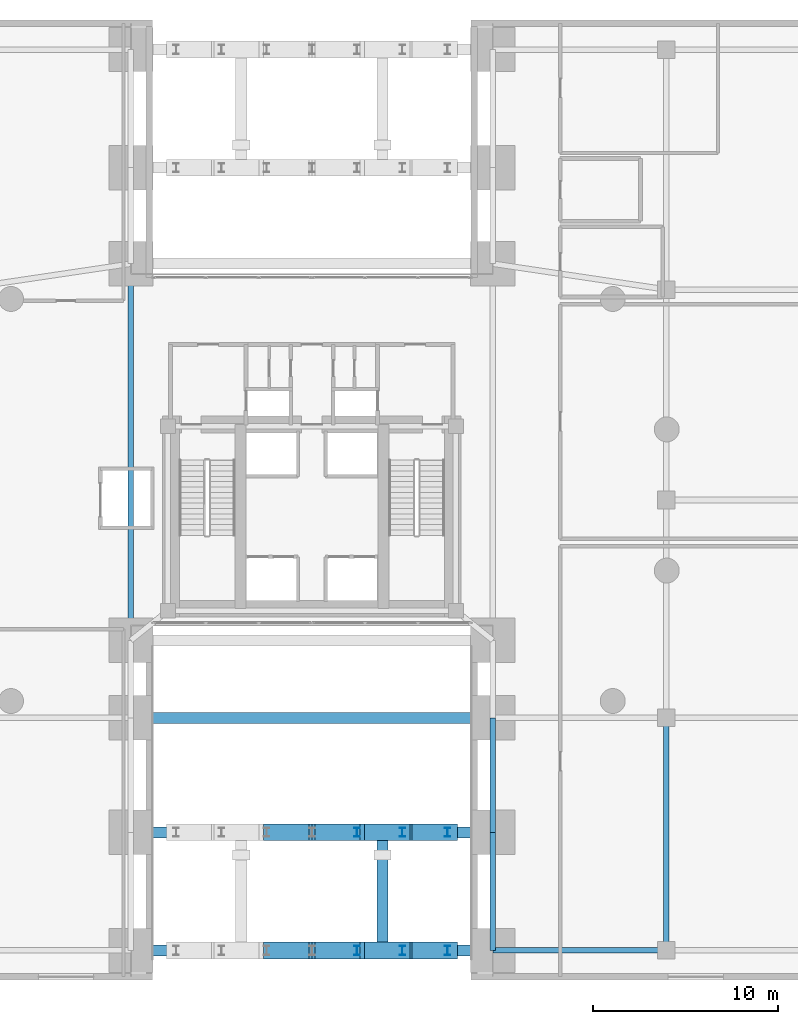
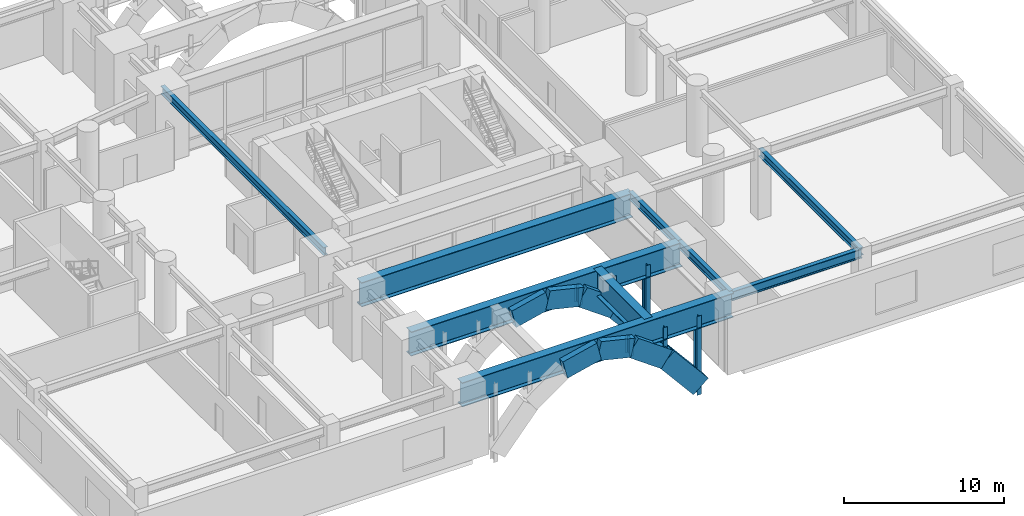
# One storey, part 4 of 18: 17 beams, 6 members.
"""IFC4 building model written with IfcOpenShell, lengths in metres."""

import ifcopenshell
import ifcopenshell.guid

model = None  # the IFC model being written
_history = None  # IfcOwnerHistory: only IFC2X3 demands one
_inside = {}  # id of a spatial element -> (the spatial element, [elements in it])
_under = {}  # id of a project, library or spatial element -> (it, [spatial elements below it])
_declared = {}  # id of a project -> (the project, [libraries it declares])
_typed = {}  # id of a type object -> (the type object, [elements of that type])
_made_of = {}  # id of a material, layer set ... -> (it, [elements and type objects made of it])


def new_model(schema):
    """Start an empty IFC model of exactly this schema.

    Asked for "IFC4X3", IfcOpenShell would pick the latest addendum, in which some entities
    have other attributes; the version numbers below select the first issue.
    IFC2X3 requires an IfcOwnerHistory on every rooted entity: one is made here for all.
    """
    global model, _history
    if schema == "IFC4X3":
        model = ifcopenshell.file(schema_version=(4, 3, 0, 0))
    else:
        model = ifcopenshell.file(schema=schema)
    _inside.clear()
    _under.clear()
    _declared.clear()
    _typed.clear()
    _made_of.clear()
    _history = None
    if model.schema == "IFC2X3":
        org = make("IfcOrganization", Name="unknown")
        user = make(
            "IfcPersonAndOrganization",
            ThePerson=make("IfcPerson", FamilyName="unknown"),
            TheOrganization=org,
        )
        app = make(
            "IfcApplication",
            ApplicationDeveloper=org,
            Version="unknown",
            ApplicationFullName="unknown",
            ApplicationIdentifier="unknown",
        )
        _history = make(
            "IfcOwnerHistory",
            OwningUser=user,
            OwningApplication=app,
            ChangeAction="ADDED",
            CreationDate=0,
        )
    return model


def make(cls, **values):
    """One entity of the class cls with the attributes given. An attribute that is None is left unset."""
    return model.create_entity(
        cls, **{name: value for name, value in values.items() if value is not None}
    )


def rooted(cls, **values):
    """An entity with a GlobalId (a new one), such as an element, a storey or a relation."""
    return make(cls, GlobalId=ifcopenshell.guid.new(), OwnerHistory=_history, **values)


def si_unit(unit_type, name, prefix=None):
    """IfcSIUnit, for example si_unit("LENGTHUNIT", "METRE", prefix="MILLI")."""
    return make("IfcSIUnit", UnitType=unit_type, Prefix=prefix, Name=name)


def assignment(units):
    """IfcUnitAssignment: the units of a project."""
    return None if units is None else make("IfcUnitAssignment", Units=units)


def point(xyz):
    """IfcCartesianPoint."""
    return None if xyz is None else make("IfcCartesianPoint", Coordinates=xyz)


def direction(xyz):
    """IfcDirection."""
    return None if xyz is None else make("IfcDirection", DirectionRatios=xyz)


def frame(location, z_axis=None, x_axis=None):
    """IfcAxis2Placement3D, a coordinate frame: its origin and axes. An axis left out is left unset."""
    return make(
        "IfcAxis2Placement3D",
        Location=point(location),
        Axis=direction(z_axis),
        RefDirection=direction(x_axis),
    )


def frame_2d(location, x_axis=None):
    """IfcAxis2Placement2D, a coordinate frame in the plane: its origin and x axis."""
    return make(
        "IfcAxis2Placement2D", Location=point(location), RefDirection=direction(x_axis)
    )


def origin():
    """The frame at (0, 0, 0) with its axes left unset."""
    return frame((0.0, 0.0, 0.0))


def origin_2d():
    """The frame at (0, 0) in the plane with its x axis left unset."""
    return frame_2d((0.0, 0.0))


def place(relative_to, where):
    """IfcLocalPlacement: puts the frame where relative to a parent placement (None: the world)."""
    return make(
        "IfcLocalPlacement", PlacementRelTo=relative_to, RelativePlacement=where
    )


def context(
    kind, dimensions, precision=None, world=None, true_north=None, identifier=None
):
    """IfcGeometricRepresentationContext, for example the 3D "Model" context."""
    return make(
        "IfcGeometricRepresentationContext",
        ContextIdentifier=identifier,
        ContextType=kind,
        CoordinateSpaceDimension=dimensions,
        Precision=precision,
        WorldCoordinateSystem=world,
        TrueNorth=true_north,
    )


def subcontext(parent, identifier, kind, view, scale=None):
    """IfcGeometricRepresentationSubContext, for example "Body" below "Model"."""
    return make(
        "IfcGeometricRepresentationSubContext",
        ContextIdentifier=identifier,
        ContextType=kind,
        ParentContext=parent,
        TargetScale=scale,
        TargetView=view,
    )


def project(units=None, contexts=None):
    """IfcProject with its units and contexts."""
    return rooted(
        "IfcProject",
        Name="project",
        RepresentationContexts=contexts,
        UnitsInContext=assignment(units),
    )


def spatial(cls, under=None, at=None, **own):
    """A site, building, storey or space (cls), placed at a placement, below another one or the project."""
    s = rooted(cls, ObjectPlacement=at, **own)
    if under is not None:
        _under.setdefault(under.id(), (under, []))[1].append(s)
    return s


def profile(cls, at=None, kind="AREA", **sizes):
    """A parametric profile (cls). Its sizes go by their IFC names, for example OverallWidth=200.0."""
    return make(cls, ProfileType=kind, Position=at, **sizes)


def rectangle(**sizes):
    """IfcRectangleProfileDef."""
    return profile("IfcRectangleProfileDef", **sizes)


def i_section(**sizes):
    """IfcIShapeProfileDef."""
    return profile("IfcIShapeProfileDef", **sizes)


def extrude(swept, where, along, depth):
    """IfcExtrudedAreaSolid: the profile swept, set in the frame where, extruded along a direction by depth."""
    return make(
        "IfcExtrudedAreaSolid",
        SweptArea=swept,
        Position=where,
        ExtrudedDirection=direction(along),
        Depth=depth,
    )


def shape(context_of_items, identifier, shape_type, items):
    """IfcShapeRepresentation: the items that make up one representation, for example the "Body"."""
    return make(
        "IfcShapeRepresentation",
        ContextOfItems=context_of_items,
        RepresentationIdentifier=identifier,
        RepresentationType=shape_type,
        Items=items,
    )


def material(Name=None, Category=None):
    """IfcMaterial."""
    return make("IfcMaterial", Name=Name, Category=Category)


def material_profile(
    of_material, cross_section, Name=None, Category=None, Priority=None
):
    """IfcMaterialProfile: a cross section and its material."""
    return make(
        "IfcMaterialProfile",
        Name=Name,
        Material=of_material,
        Profile=cross_section,
        Priority=Priority,
        Category=Category,
    )


def profile_set(profiles, Name=None, composite=None):
    """IfcMaterialProfileSet."""
    return make(
        "IfcMaterialProfileSet",
        Name=Name,
        MaterialProfiles=profiles,
        CompositeProfile=composite,
    )


def made_of(thing, what):
    """Note that an element or type object is made of a material, layer set ...; save() writes the relation."""
    if what is not None:
        _made_of.setdefault(what.id(), (what, []))[1].append(thing)
    return thing


def type_object(cls, material=None, **own):
    """A type object (cls), such as IfcWallType, which elements share."""
    return made_of(rooted(cls, **own), material)


def element(
    cls,
    number,
    at=None,
    inside=None,
    cuts=None,
    type_object=None,
    material=None,
    context=None,
    identifier="Body",
    shape_type=None,
    held_by="IfcProductDefinitionShape",
    body=None,
    shapes=None,
    **own,
):
    """One element of the class cls, such as IfcWall. Its Tag is "e" and its number.

    at: its placement. inside: the storey or other place that contains it. cuts: it is an
    opening in that element (IfcRelVoidsElement). A single representation is given by context,
    identifier, shape_type and body (its items); several are given by shapes. held_by: the class
    of the entity that holds the representations. save() writes the other relations.
    """
    e = rooted(cls, Tag="e%d" % number, ObjectPlacement=at, **own)
    if body is not None:
        shapes = [shape(context, identifier, shape_type, body)]
    if shapes is not None:
        e.Representation = make(held_by, Representations=shapes)
    if inside is not None:
        _inside.setdefault(inside.id(), (inside, []))[1].append(e)
    if cuts is not None:
        rooted(
            "IfcRelVoidsElement", RelatingBuildingElement=cuts, RelatedOpeningElement=e
        )
    if type_object is not None:
        _typed.setdefault(type_object.id(), (type_object, []))[1].append(e)
    return made_of(e, material)


def aggregate(whole, parts):
    """IfcRelAggregates: a whole, such as a stair, and the parts it consists of."""
    return rooted("IfcRelAggregates", RelatingObject=whole, RelatedObjects=parts)


def save(model, path):
    """Write the relations noted so far, then the file.

    IfcRelAggregates (storeys below a building ...), IfcRelContainedInSpatialStructure (elements
    in a storey), IfcRelDefinesByType, IfcRelAssociatesMaterial and IfcRelDeclares: one each for
    every whole, place, type object, material and project.
    """
    for whole, parts in _under.values():
        aggregate(whole, parts)
    for where, things in _inside.values():
        rooted(
            "IfcRelContainedInSpatialStructure",
            RelatedElements=things,
            RelatingStructure=where,
        )
    for kind, things in _typed.values():
        rooted("IfcRelDefinesByType", RelatedObjects=things, RelatingType=kind)
    for what, things in _made_of.values():
        rooted("IfcRelAssociatesMaterial", RelatedObjects=things, RelatingMaterial=what)
    for by, libraries in _declared.values():
        rooted("IfcRelDeclares", RelatingContext=by, RelatedDefinitions=libraries)
    model.write(path)


model = new_model("IFC4")

# Units and contexts
model_context = context("Model", 3, precision=1e-05, world=origin(), true_north=direction((0.0, 1.0)))
body_context = subcontext(model_context, "Body", "Model", "MODEL_VIEW")
ifc_project = project(units=[si_unit("LENGTHUNIT", "METRE"), si_unit("AREAUNIT", "SQUARE_METRE"), si_unit("VOLUMEUNIT", "CUBIC_METRE"), si_unit("PLANEANGLEUNIT", "RADIAN"), si_unit("MASSUNIT", "GRAM", prefix="KILO"), si_unit("THERMODYNAMICTEMPERATUREUNIT", "KELVIN"), si_unit("POWERUNIT", "WATT")], contexts=[model_context])

# Site, building, storey
site_placement = place(None, origin())
site = spatial("IfcSite", under=ifc_project, at=site_placement, CompositionType="ELEMENT")
building_placement = place(site_placement, origin())
building = spatial("IfcBuilding", under=site, at=building_placement, Name="Ocrelia Relay Tower", CompositionType="ELEMENT")
storey_placement = place(building_placement, frame((0.0, 0.0, 10.199951171875)))
storey = spatial("IfcBuildingStorey", under=building, at=storey_placement, Name="L02", CompositionType="ELEMENT", Elevation=10.199951171875)

# Beams
ifc_material_1 = material(Name="Concrete C70/85", Category="concrete")
ifc_material_profile_1 = material_profile(ifc_material_1, rectangle(XDim=0.89990234375, YDim=1.39990234375, at=origin_2d()), Name="RC-BM-900x1400")
ifc_profile_set_1 = profile_set([ifc_material_profile_1], Name="Concrete C70/85")
beam_type_1 = type_object("IfcBeamType", Name="BM-ARCH-RIB", PredefinedType="USERDEFINED", material=ifc_profile_set_1)
for number, where, z_axis, x_axis, name in (
    (1, (31.550048828125, 1.60009765625, 3.5703125), (0.972681272343, 0.0, 0.232144658422), (0.0, 1.0, 0.0), "Monumental Portal Arch Rib S1 Seg 4"),
    (2, (34.0, 1.60009765625, 4.155029296875), (0.972681272343, 0.0, -0.232144658422), (0.0, 1.0, 0.0), "Monumental Portal Arch Rib S1 Seg 5"),
):
    element("IfcBeam", number, at=place(storey_placement, frame(where, z_axis=z_axis, x_axis=x_axis)), inside=storey, type_object=beam_type_1, Name=name, ObjectType="PORTAL ARCH", PredefinedType="USERDEFINED", context=body_context, shape_type="SweptSolid", body=[
        extrude(rectangle(XDim=0.89990234375, YDim=1.39990234375, at=origin_2d()), origin(), (0.0, 0.0, 1.0), 2.518798828125),
    ])
beam_1_placement = place(storey_placement, frame((36.449951171875, 1.60009765625, 3.5703125), z_axis=(0.813075999957, 0.0, -0.582157554528), x_axis=(0.0, 1.0, 0.0)))
element("IfcBeam", 3, at=beam_1_placement, inside=storey, type_object=beam_type_1, Name="Monumental Portal Arch Rib S1 Seg 6", ObjectType="PORTAL ARCH", PredefinedType="USERDEFINED", context=body_context, shape_type="SweptSolid", body=[
    extrude(rectangle(XDim=0.89990234375, YDim=1.39990234375, at=origin_2d()), origin(), (0.0, 0.0, 1.0), 3.01318359375),
])
beam_2_placement = place(storey_placement, frame((38.89990234375, 1.60009765625, 1.816162109375), z_axis=(0.642360114755, 0.0, -0.766402950785), x_axis=(0.0, 1.0, 0.0)))
element("IfcBeam", 4, at=beam_2_placement, inside=storey, type_object=beam_type_1, Name="Monumental Portal Arch Rib S1 Seg 7", ObjectType="PORTAL ARCH", PredefinedType="USERDEFINED", context=body_context, shape_type="SweptSolid", body=[
    extrude(rectangle(XDim=0.89990234375, YDim=1.39990234375, at=origin_2d()), origin(), (0.0, 0.0, 1.0), 3.814453125),
])
for number, where, z_axis, x_axis, name in (
    (5, (31.550048828125, 8.0, 3.5703125), (0.972681272343, 0.0, 0.232144658422), (0.0, 1.0, 0.0), "Monumental Portal Arch Rib S2 Seg 4"),
    (6, (34.0, 8.0, 4.155029296875), (0.972681272343, 0.0, -0.232144658422), (0.0, 1.0, 0.0), "Monumental Portal Arch Rib S2 Seg 5"),
):
    element("IfcBeam", number, at=place(storey_placement, frame(where, z_axis=z_axis, x_axis=x_axis)), inside=storey, type_object=beam_type_1, Name=name, ObjectType="PORTAL ARCH", PredefinedType="USERDEFINED", context=body_context, shape_type="SweptSolid", body=[
        extrude(rectangle(XDim=0.89990234375, YDim=1.39990234375, at=origin_2d()), origin(), (0.0, 0.0, 1.0), 2.518798828125),
    ])
beam_3_placement = place(storey_placement, frame((36.449951171875, 8.0, 3.5703125), z_axis=(0.813075999957, 0.0, -0.582157554528), x_axis=(0.0, 1.0, 0.0)))
element("IfcBeam", 7, at=beam_3_placement, inside=storey, type_object=beam_type_1, Name="Monumental Portal Arch Rib S2 Seg 6", ObjectType="PORTAL ARCH", PredefinedType="USERDEFINED", context=body_context, shape_type="SweptSolid", body=[
    extrude(rectangle(XDim=0.89990234375, YDim=1.39990234375, at=origin_2d()), origin(), (0.0, 0.0, 1.0), 3.01318359375),
])
beam_4_placement = place(storey_placement, frame((38.89990234375, 8.0, 1.816162109375), z_axis=(0.642360114755, 0.0, -0.766402950785), x_axis=(0.0, 1.0, 0.0)))
element("IfcBeam", 8, at=beam_4_placement, inside=storey, type_object=beam_type_1, Name="Monumental Portal Arch Rib S2 Seg 7", ObjectType="PORTAL ARCH", PredefinedType="USERDEFINED", context=body_context, shape_type="SweptSolid", body=[
    extrude(rectangle(XDim=0.89990234375, YDim=1.39990234375, at=origin_2d()), origin(), (0.0, 0.0, 1.0), 3.814453125),
])
ifc_material_2 = material(Name="Steel S355", Category="steel")
ifc_material_profile_2 = material_profile(ifc_material_2, i_section(OverallWidth=0.300048828125, OverallDepth=0.60009765625, WebThickness=0.015380859375, FlangeThickness=0.030029296875, FilletRadius=0.027099609375, at=origin_2d()), Name="HEB 600")
ifc_profile_set_2 = profile_set([ifc_material_profile_2], Name="Steel S355")
beam_type_2 = type_object("IfcBeamType", Name="BM-HEB600", PredefinedType="BEAM", material=ifc_profile_set_2)
beam_5_placement = place(storey_placement, frame((53.199951171875, 1.60009765625, 4.780029296875), z_axis=(0.0, 1.0, 0.0), x_axis=(-1.0, 0.0, 0.0)))
element("IfcBeam", 9, at=beam_5_placement, inside=storey, type_object=beam_type_2, Name="L02 Podium Span Girder IE-1", PredefinedType="BEAM", context=body_context, shape_type="SweptSolid", body=[
    extrude(i_section(OverallWidth=0.300048828125, OverallDepth=0.60009765625, WebThickness=0.015380859375, FlangeThickness=0.030029296875, FilletRadius=0.027099609375, at=origin_2d()), origin(), (0.0, 0.0, 1.0), 12.599853515625),
])
beam_6_placement = place(storey_placement, frame((24.199951171875, 18.39990234375, 4.780029296875), z_axis=(0.0, 1.0, 0.0), x_axis=(-1.0, 0.0, 0.0)))
element("IfcBeam", 10, at=beam_6_placement, inside=storey, type_object=beam_type_2, Name="L02 Pier Line Tie Girder AW-6", PredefinedType="BEAM", context=body_context, shape_type="SweptSolid", body=[
    extrude(i_section(OverallWidth=0.300048828125, OverallDepth=0.60009765625, WebThickness=0.015380859375, FlangeThickness=0.030029296875, FilletRadius=0.027099609375, at=origin_2d()), origin(), (0.0, 0.0, 1.0), 20.400146484375),
])
beam_7_placement = place(storey_placement, frame((43.800048828125, 1.60009765625, 4.780029296875), z_axis=(0.0, 1.0, 0.0), x_axis=(-1.0, 0.0, 0.0)))
element("IfcBeam", 11, at=beam_7_placement, inside=storey, type_object=beam_type_2, Name="L02 Pier Line Tie Girder AE-1", PredefinedType="BEAM", context=body_context, shape_type="SweptSolid", body=[
    extrude(i_section(OverallWidth=0.300048828125, OverallDepth=0.60009765625, WebThickness=0.015380859375, FlangeThickness=0.030029296875, FilletRadius=0.027099609375, at=origin_2d()), origin(), (0.0, 0.0, 1.0), 6.39990234375),
])
beam_8_placement = place(storey_placement, frame((43.800048828125, 8.0, 4.780029296875), z_axis=(0.0, 1.0, 0.0), x_axis=(-1.0, 0.0, 0.0)))
element("IfcBeam", 12, at=beam_8_placement, inside=storey, type_object=beam_type_2, Name="L02 Pier Line Tie Girder AE-2", PredefinedType="BEAM", context=body_context, shape_type="SweptSolid", body=[
    extrude(i_section(OverallWidth=0.300048828125, OverallDepth=0.60009765625, WebThickness=0.015380859375, FlangeThickness=0.030029296875, FilletRadius=0.027099609375, at=origin_2d()), origin(), (0.0, 0.0, 1.0), 6.199951171875),
])
ifc_material_profile_3 = material_profile(ifc_material_2, i_section(OverallWidth=0.300048828125, OverallDepth=0.699951171875, WebThickness=0.01708984375, FlangeThickness=0.031982421875, FilletRadius=0.027099609375, at=origin_2d()), Name="HEB 700")
ifc_profile_set_3 = profile_set([ifc_material_profile_3], Name="Steel S355")
beam_type_3 = type_object("IfcBeamType", Name="BM-HEB700", PredefinedType="BEAM", material=ifc_profile_set_3)
beam_9_placement = place(storey_placement, frame((43.800048828125, 1.60009765625, 4.72998046875), z_axis=(1.0, 0.0, 0.0), x_axis=(0.0, 1.0, 0.0)))
element("IfcBeam", 13, at=beam_9_placement, inside=storey, type_object=beam_type_3, Name="L02 East Inner Podium Girder S", PredefinedType="BEAM", context=body_context, shape_type="SweptSolid", body=[
    extrude(i_section(OverallWidth=0.300048828125, OverallDepth=0.699951171875, WebThickness=0.01708984375, FlangeThickness=0.031982421875, FilletRadius=0.027099609375, at=origin_2d()), origin(), (0.0, 0.0, 1.0), 9.39990234375),
])
ifc_material_profile_4 = material_profile(ifc_material_2, i_section(OverallWidth=0.60009765625, OverallDepth=1.85009765625, WebThickness=0.028076171875, FlangeThickness=0.0400390625, FilletRadius=0.02001953125, at=origin_2d()), Name="WPG 1850x600")
ifc_profile_set_4 = profile_set([ifc_material_profile_4], Name="Steel S355")
beam_type_4 = type_object("IfcBeamType", Name="BM-WPG1650", PredefinedType="T_BEAM", material=ifc_profile_set_4)
for number, where, z_axis, x_axis, name in (
    (14, (24.199951171875, 1.60009765625, 4.155029296875), (1.0, 0.0, 0.0), (0.0, 1.0, 0.0), "L02 Portal Arch Span Transfer Girder G1"),
    (15, (24.199951171875, 8.0, 4.155029296875), (1.0, 0.0, 0.0), (0.0, 1.0, 0.0), "L02 Portal Arch Span Transfer Girder G2"),
    (16, (24.199951171875, 14.199951171875, 4.155029296875), (1.0, 0.0, 0.0), (0.0, 1.0, 0.0), "L02 Portal Arch Span Transfer Girder G3"),
):
    element("IfcBeam", number, at=place(storey_placement, frame(where, z_axis=z_axis, x_axis=x_axis)), inside=storey, type_object=beam_type_4, Name=name, PredefinedType="T_BEAM", context=body_context, shape_type="SweptSolid", body=[
        extrude(i_section(OverallWidth=0.60009765625, OverallDepth=1.85009765625, WebThickness=0.028076171875, FlangeThickness=0.0400390625, FilletRadius=0.02001953125, at=origin_2d()), origin(), (0.0, 0.0, 1.0), 19.60009765625),
    ])
beam_10_placement = place(storey_placement, frame((37.82373046875, 1.60009765625, 4.155029296875), z_axis=(0.0, 1.0, 0.0), x_axis=(-1.0, 0.0, 0.0)))
element("IfcBeam", 17, at=beam_10_placement, inside=storey, type_object=beam_type_4, Name="Portal Arch Column Collector Transfer Girder Z1-13", PredefinedType="T_BEAM", context=body_context, shape_type="SweptSolid", body=[
    extrude(i_section(OverallWidth=0.60009765625, OverallDepth=1.85009765625, WebThickness=0.028076171875, FlangeThickness=0.0400390625, FilletRadius=0.02001953125, at=origin_2d()), origin(), (0.0, 0.0, 1.0), 6.39990234375),
])

# Members
ifc_material_profile_5 = material_profile(ifc_material_2, i_section(OverallWidth=0.300048828125, OverallDepth=0.5, WebThickness=0.014404296875, FlangeThickness=0.028076171875, FilletRadius=0.027099609375, at=origin_2d()), Name="HEB 500")
ifc_profile_set_5 = profile_set([ifc_material_profile_5], Name="Steel S355")
member_type = type_object("IfcMemberType", Name="MB-RAKER-STRUT", PredefinedType="STRUT", material=ifc_profile_set_5)
member_1_placement = place(storey_placement, frame((36.449951171875, 1.60009765625, 2.8203125), z_axis=(0.0, 0.0, 1.0), x_axis=(1.0, 0.0, 0.0)))
element("IfcMember", 18, at=member_1_placement, inside=storey, type_object=member_type, Name="Portal Arch Spandrel Hanger S1-5", PredefinedType="STRUT", context=body_context, shape_type="SweptSolid", body=[
    extrude(i_section(OverallWidth=0.300048828125, OverallDepth=0.5, WebThickness=0.014404296875, FlangeThickness=0.028076171875, FilletRadius=0.027099609375, at=origin_2d()), origin(), (0.0, 0.0, 1.0), 1.334716796875),
])
member_2_placement = place(storey_placement, frame((38.89990234375, 1.60009765625, 1.066162109375), z_axis=(0.0, 0.0, 1.0), x_axis=(1.0, 0.0, 0.0)))
element("IfcMember", 19, at=member_2_placement, inside=storey, type_object=member_type, Name="Portal Arch Spandrel Hanger S1-6", PredefinedType="STRUT", context=body_context, shape_type="SweptSolid", body=[
    extrude(i_section(OverallWidth=0.300048828125, OverallDepth=0.5, WebThickness=0.014404296875, FlangeThickness=0.028076171875, FilletRadius=0.027099609375, at=origin_2d()), origin(), (0.0, 0.0, 1.0), 3.0888671875),
])
member_3_placement = place(storey_placement, frame((41.35009765625, 1.60009765625, -1.857177734375), z_axis=(0.0, 0.0, 1.0), x_axis=(1.0, 0.0, 0.0)))
element("IfcMember", 20, at=member_3_placement, inside=storey, type_object=member_type, Name="Portal Arch Spandrel Hanger S1-7", PredefinedType="STRUT", context=body_context, shape_type="SweptSolid", body=[
    extrude(i_section(OverallWidth=0.300048828125, OverallDepth=0.5, WebThickness=0.014404296875, FlangeThickness=0.028076171875, FilletRadius=0.027099609375, at=origin_2d()), origin(), (0.0, 0.0, 1.0), 6.01220703125),
])
member_4_placement = place(storey_placement, frame((36.449951171875, 8.0, 2.8203125), z_axis=(0.0, 0.0, 1.0), x_axis=(1.0, 0.0, 0.0)))
element("IfcMember", 21, at=member_4_placement, inside=storey, type_object=member_type, Name="Portal Arch Spandrel Hanger S2-5", PredefinedType="STRUT", context=body_context, shape_type="SweptSolid", body=[
    extrude(i_section(OverallWidth=0.300048828125, OverallDepth=0.5, WebThickness=0.014404296875, FlangeThickness=0.028076171875, FilletRadius=0.027099609375, at=origin_2d()), origin(), (0.0, 0.0, 1.0), 1.334716796875),
])
member_5_placement = place(storey_placement, frame((38.89990234375, 8.0, 1.066162109375), z_axis=(0.0, 0.0, 1.0), x_axis=(1.0, 0.0, 0.0)))
element("IfcMember", 22, at=member_5_placement, inside=storey, type_object=member_type, Name="Portal Arch Spandrel Hanger S2-6", PredefinedType="STRUT", context=body_context, shape_type="SweptSolid", body=[
    extrude(i_section(OverallWidth=0.300048828125, OverallDepth=0.5, WebThickness=0.014404296875, FlangeThickness=0.028076171875, FilletRadius=0.027099609375, at=origin_2d()), origin(), (0.0, 0.0, 1.0), 3.0888671875),
])
member_6_placement = place(storey_placement, frame((41.35009765625, 8.0, -1.857177734375), z_axis=(0.0, 0.0, 1.0), x_axis=(1.0, 0.0, 0.0)))
element("IfcMember", 23, at=member_6_placement, inside=storey, type_object=member_type, Name="Portal Arch Spandrel Hanger S2-7", PredefinedType="STRUT", context=body_context, shape_type="SweptSolid", body=[
    extrude(i_section(OverallWidth=0.300048828125, OverallDepth=0.5, WebThickness=0.014404296875, FlangeThickness=0.028076171875, FilletRadius=0.027099609375, at=origin_2d()), origin(), (0.0, 0.0, 1.0), 6.01220703125),
])

save(model, "model.ifc")
